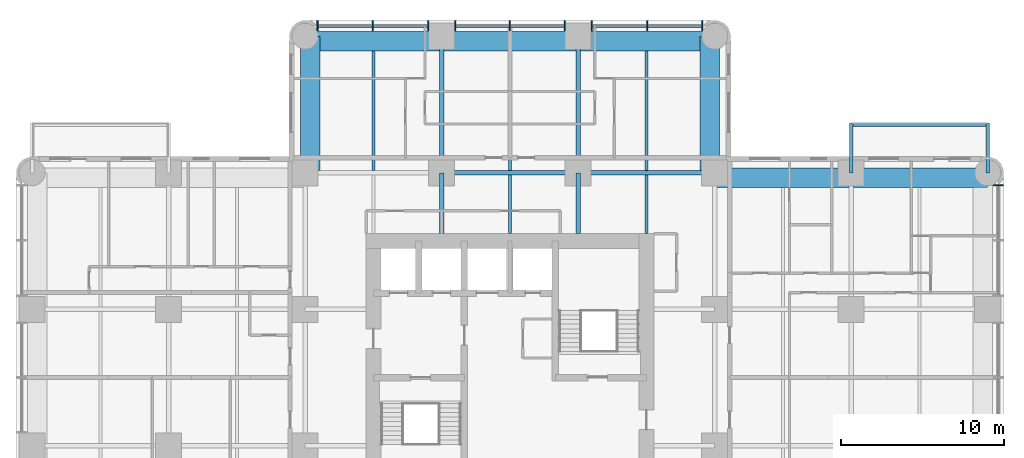
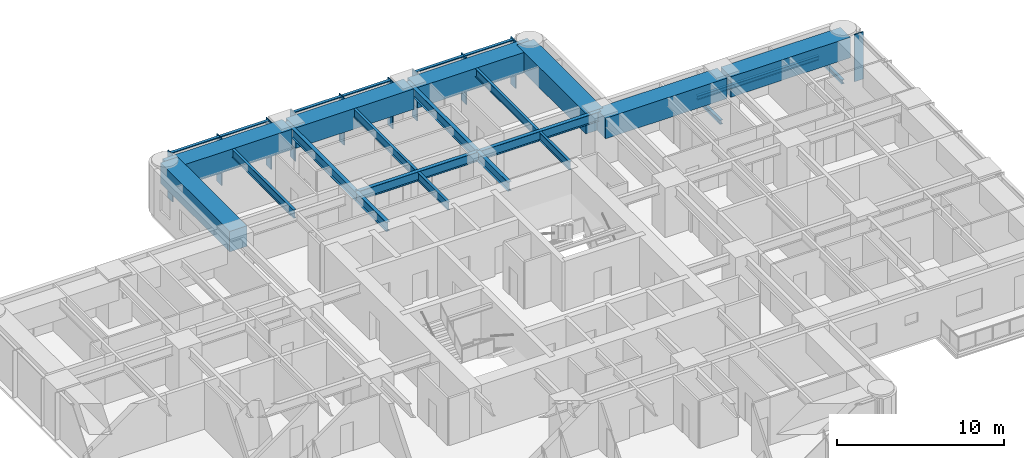
# One storey, part 4 of 15: 21 beams, 16 members, 2 elements without a shape of their own.
"""IFC4 building model written with IfcOpenShell, lengths in metres."""

import ifcopenshell
import ifcopenshell.guid

model = None  # the IFC model being written
_history = None  # IfcOwnerHistory: only IFC2X3 demands one
_inside = {}  # id of a spatial element -> (the spatial element, [elements in it])
_under = {}  # id of a project, library or spatial element -> (it, [spatial elements below it])
_declared = {}  # id of a project -> (the project, [libraries it declares])
_typed = {}  # id of a type object -> (the type object, [elements of that type])
_made_of = {}  # id of a material, layer set ... -> (it, [elements and type objects made of it])


def new_model(schema):
    """Start an empty IFC model of exactly this schema.

    Asked for "IFC4X3", IfcOpenShell would pick the latest addendum, in which some entities
    have other attributes; the version numbers below select the first issue.
    IFC2X3 requires an IfcOwnerHistory on every rooted entity: one is made here for all.
    """
    global model, _history
    if schema == "IFC4X3":
        model = ifcopenshell.file(schema_version=(4, 3, 0, 0))
    else:
        model = ifcopenshell.file(schema=schema)
    _inside.clear()
    _under.clear()
    _declared.clear()
    _typed.clear()
    _made_of.clear()
    _history = None
    if model.schema == "IFC2X3":
        org = make("IfcOrganization", Name="unknown")
        user = make(
            "IfcPersonAndOrganization",
            ThePerson=make("IfcPerson", FamilyName="unknown"),
            TheOrganization=org,
        )
        app = make(
            "IfcApplication",
            ApplicationDeveloper=org,
            Version="unknown",
            ApplicationFullName="unknown",
            ApplicationIdentifier="unknown",
        )
        _history = make(
            "IfcOwnerHistory",
            OwningUser=user,
            OwningApplication=app,
            ChangeAction="ADDED",
            CreationDate=0,
        )
    return model


def make(cls, **values):
    """One entity of the class cls with the attributes given. An attribute that is None is left unset."""
    return model.create_entity(
        cls, **{name: value for name, value in values.items() if value is not None}
    )


def rooted(cls, **values):
    """An entity with a GlobalId (a new one), such as an element, a storey or a relation."""
    return make(cls, GlobalId=ifcopenshell.guid.new(), OwnerHistory=_history, **values)


def si_unit(unit_type, name, prefix=None):
    """IfcSIUnit, for example si_unit("LENGTHUNIT", "METRE", prefix="MILLI")."""
    return make("IfcSIUnit", UnitType=unit_type, Prefix=prefix, Name=name)


def assignment(units):
    """IfcUnitAssignment: the units of a project."""
    return None if units is None else make("IfcUnitAssignment", Units=units)


def point(xyz):
    """IfcCartesianPoint."""
    return None if xyz is None else make("IfcCartesianPoint", Coordinates=xyz)


def direction(xyz):
    """IfcDirection."""
    return None if xyz is None else make("IfcDirection", DirectionRatios=xyz)


def frame(location, z_axis=None, x_axis=None):
    """IfcAxis2Placement3D, a coordinate frame: its origin and axes. An axis left out is left unset."""
    return make(
        "IfcAxis2Placement3D",
        Location=point(location),
        Axis=direction(z_axis),
        RefDirection=direction(x_axis),
    )


def frame_2d(location, x_axis=None):
    """IfcAxis2Placement2D, a coordinate frame in the plane: its origin and x axis."""
    return make(
        "IfcAxis2Placement2D", Location=point(location), RefDirection=direction(x_axis)
    )


def origin():
    """The frame at (0, 0, 0) with its axes left unset."""
    return frame((0.0, 0.0, 0.0))


def origin_2d():
    """The frame at (0, 0) in the plane with its x axis left unset."""
    return frame_2d((0.0, 0.0))


def place(relative_to, where):
    """IfcLocalPlacement: puts the frame where relative to a parent placement (None: the world)."""
    return make(
        "IfcLocalPlacement", PlacementRelTo=relative_to, RelativePlacement=where
    )


def context(
    kind, dimensions, precision=None, world=None, true_north=None, identifier=None
):
    """IfcGeometricRepresentationContext, for example the 3D "Model" context."""
    return make(
        "IfcGeometricRepresentationContext",
        ContextIdentifier=identifier,
        ContextType=kind,
        CoordinateSpaceDimension=dimensions,
        Precision=precision,
        WorldCoordinateSystem=world,
        TrueNorth=true_north,
    )


def subcontext(parent, identifier, kind, view, scale=None):
    """IfcGeometricRepresentationSubContext, for example "Body" below "Model"."""
    return make(
        "IfcGeometricRepresentationSubContext",
        ContextIdentifier=identifier,
        ContextType=kind,
        ParentContext=parent,
        TargetScale=scale,
        TargetView=view,
    )


def project(units=None, contexts=None):
    """IfcProject with its units and contexts."""
    return rooted(
        "IfcProject",
        Name="project",
        RepresentationContexts=contexts,
        UnitsInContext=assignment(units),
    )


def spatial(cls, under=None, at=None, **own):
    """A site, building, storey or space (cls), placed at a placement, below another one or the project."""
    s = rooted(cls, ObjectPlacement=at, **own)
    if under is not None:
        _under.setdefault(under.id(), (under, []))[1].append(s)
    return s


def profile(cls, at=None, kind="AREA", **sizes):
    """A parametric profile (cls). Its sizes go by their IFC names, for example OverallWidth=200.0."""
    return make(cls, ProfileType=kind, Position=at, **sizes)


def rectangle(**sizes):
    """IfcRectangleProfileDef."""
    return profile("IfcRectangleProfileDef", **sizes)


def i_section(**sizes):
    """IfcIShapeProfileDef."""
    return profile("IfcIShapeProfileDef", **sizes)


def extrude(swept, where, along, depth):
    """IfcExtrudedAreaSolid: the profile swept, set in the frame where, extruded along a direction by depth."""
    return make(
        "IfcExtrudedAreaSolid",
        SweptArea=swept,
        Position=where,
        ExtrudedDirection=direction(along),
        Depth=depth,
    )


def shape(context_of_items, identifier, shape_type, items):
    """IfcShapeRepresentation: the items that make up one representation, for example the "Body"."""
    return make(
        "IfcShapeRepresentation",
        ContextOfItems=context_of_items,
        RepresentationIdentifier=identifier,
        RepresentationType=shape_type,
        Items=items,
    )


def material(Name=None, Category=None):
    """IfcMaterial."""
    return make("IfcMaterial", Name=Name, Category=Category)


def material_profile(
    of_material, cross_section, Name=None, Category=None, Priority=None
):
    """IfcMaterialProfile: a cross section and its material."""
    return make(
        "IfcMaterialProfile",
        Name=Name,
        Material=of_material,
        Profile=cross_section,
        Priority=Priority,
        Category=Category,
    )


def profile_set(profiles, Name=None, composite=None):
    """IfcMaterialProfileSet."""
    return make(
        "IfcMaterialProfileSet",
        Name=Name,
        MaterialProfiles=profiles,
        CompositeProfile=composite,
    )


def made_of(thing, what):
    """Note that an element or type object is made of a material, layer set ...; save() writes the relation."""
    if what is not None:
        _made_of.setdefault(what.id(), (what, []))[1].append(thing)
    return thing


def type_object(cls, material=None, **own):
    """A type object (cls), such as IfcWallType, which elements share."""
    return made_of(rooted(cls, **own), material)


def element(
    cls,
    number,
    at=None,
    inside=None,
    cuts=None,
    type_object=None,
    material=None,
    context=None,
    identifier="Body",
    shape_type=None,
    held_by="IfcProductDefinitionShape",
    body=None,
    shapes=None,
    **own,
):
    """One element of the class cls, such as IfcWall. Its Tag is "e" and its number.

    at: its placement. inside: the storey or other place that contains it. cuts: it is an
    opening in that element (IfcRelVoidsElement). A single representation is given by context,
    identifier, shape_type and body (its items); several are given by shapes. held_by: the class
    of the entity that holds the representations. save() writes the other relations.
    """
    e = rooted(cls, Tag="e%d" % number, ObjectPlacement=at, **own)
    if body is not None:
        shapes = [shape(context, identifier, shape_type, body)]
    if shapes is not None:
        e.Representation = make(held_by, Representations=shapes)
    if inside is not None:
        _inside.setdefault(inside.id(), (inside, []))[1].append(e)
    if cuts is not None:
        rooted(
            "IfcRelVoidsElement", RelatingBuildingElement=cuts, RelatedOpeningElement=e
        )
    if type_object is not None:
        _typed.setdefault(type_object.id(), (type_object, []))[1].append(e)
    return made_of(e, material)


def aggregate(whole, parts):
    """IfcRelAggregates: a whole, such as a stair, and the parts it consists of."""
    return rooted("IfcRelAggregates", RelatingObject=whole, RelatedObjects=parts)


def save(model, path):
    """Write the relations noted so far, then the file.

    IfcRelAggregates (storeys below a building ...), IfcRelContainedInSpatialStructure (elements
    in a storey), IfcRelDefinesByType, IfcRelAssociatesMaterial and IfcRelDeclares: one each for
    every whole, place, type object, material and project.
    """
    for whole, parts in _under.values():
        aggregate(whole, parts)
    for where, things in _inside.values():
        rooted(
            "IfcRelContainedInSpatialStructure",
            RelatedElements=things,
            RelatingStructure=where,
        )
    for kind, things in _typed.values():
        rooted("IfcRelDefinesByType", RelatedObjects=things, RelatingType=kind)
    for what, things in _made_of.values():
        rooted("IfcRelAssociatesMaterial", RelatedObjects=things, RelatingMaterial=what)
    for by, libraries in _declared.values():
        rooted("IfcRelDeclares", RelatingContext=by, RelatedDefinitions=libraries)
    model.write(path)


model = new_model("IFC4")

# Units and contexts
model_context = context("Model", 3, precision=1e-05, world=origin(), true_north=direction((0.0, 1.0)))
body_context = subcontext(model_context, "Body", "Model", "MODEL_VIEW")
ifc_project = project(units=[si_unit("LENGTHUNIT", "METRE"), si_unit("AREAUNIT", "SQUARE_METRE"), si_unit("VOLUMEUNIT", "CUBIC_METRE"), si_unit("PLANEANGLEUNIT", "RADIAN"), si_unit("MASSUNIT", "GRAM", prefix="KILO")], contexts=[model_context])

# Site, building, storey
site_placement = place(None, origin())
site = spatial("IfcSite", under=ifc_project, at=site_placement, CompositionType="ELEMENT")
building_placement = place(site_placement, origin())
building = spatial("IfcBuilding", under=site, at=building_placement, Name="Torre Alcanfor", CompositionType="ELEMENT")
storey_placement = place(building_placement, frame((0.0, 0.0, 119.699951171875)))
storey = spatial("IfcBuildingStorey", under=building, at=storey_placement, Name="L30", CompositionType="ELEMENT", Elevation=119.699951171875)

# Beams
ifc_material_1 = material(Name="Steel ASTM A992 Grade 50", Category="steel")
ifc_material_profile_1 = material_profile(ifc_material_1, i_section(OverallWidth=0.205322265625, OverallDepth=0.309814453125, WebThickness=0.00927734375, FlangeThickness=0.016357421875, at=origin_2d()), Name="W12x50")
ifc_profile_set_1 = profile_set([ifc_material_profile_1], Name="Steel ASTM A992 Grade 50")
beam_type_1 = type_object("IfcBeamType", Name="Balcony cantilever beam W12x50", PredefinedType="BEAM", material=ifc_profile_set_1)
for number, where, z_axis, x_axis, name in (
    (1, (50.39990234375, 42.0, -0.35498046875), (0.0, 1.0, 0.0), (-1.0, 0.0, 0.0), "Balcony cantilever beam L30-E1 1"),
    (2, (58.800048828125, 42.0, -0.35498046875), (0.0, 1.0, 0.0), (-1.0, 0.0, 0.0), "Balcony cantilever beam L30-E1 2"),
):
    element("IfcBeam", number, at=place(storey_placement, frame(where, z_axis=z_axis, x_axis=x_axis)), inside=storey, type_object=beam_type_1, Name=name, PredefinedType="BEAM", context=body_context, shape_type="SweptSolid", body=[
        extrude(i_section(OverallWidth=0.205322265625, OverallDepth=0.309814453125, WebThickness=0.00927734375, FlangeThickness=0.016357421875, at=origin_2d()), origin(), (0.0, 0.0, 1.0), 3.050048828125),
    ])
ifc_material_2 = material(Name="Steel ASTM A992 Grade 50", Category="steel")
ifc_material_profile_2 = material_profile(ifc_material_2, i_section(OverallWidth=0.203369140625, OverallDepth=0.30224609375, WebThickness=0.007568359375, FlangeThickness=0.01318359375, at=origin_2d()), Name="W12x40")
ifc_profile_set_2 = profile_set([ifc_material_profile_2], Name="Steel ASTM A992 Grade 50")
beam_type_2 = type_object("IfcBeamType", Name="Balcony edge trimmer W12x40", PredefinedType="BEAM", material=ifc_profile_set_2)
beam_1_placement = place(storey_placement, frame((50.39990234375, 44.9482421875, -0.35107421875), z_axis=(1.0, 0.0, 0.0), x_axis=(0.0, 1.0, 0.0)))
element("IfcBeam", 3, at=beam_1_placement, inside=storey, type_object=beam_type_2, Name="Balcony edge trimmer L30-E1", PredefinedType="BEAM", context=body_context, shape_type="SweptSolid", body=[
    extrude(i_section(OverallWidth=0.203369140625, OverallDepth=0.30224609375, WebThickness=0.007568359375, FlangeThickness=0.01318359375, at=origin_2d()), origin(), (0.0, 0.0, 1.0), 8.400146484375),
])

# Curtain wall, member
ifc_material_3 = material(Name="Aluminium and glass", Category="aluminium")
curtain_wall_type = type_object("IfcCurtainWallType", Name="CW-A unitised apartment glazing with vertical FIN", PredefinedType="NOTDEFINED", material=ifc_material_3)
curtain_wall_1_placement = place(storey_placement, origin())
curtain_wall_1 = element("IfcCurtainWall", 4, at=curtain_wall_1_placement, inside=storey, type_object=curtain_wall_type, Name="Curtain wall CW-A L30 8", PredefinedType="NOTDEFINED")
ifc_material_4 = material(Name="Bronze anodised aluminium", Category="aluminium")
ifc_material_profile_3 = material_profile(ifc_material_4, rectangle(XDim=0.60009765625, YDim=0.06494140625, at=origin_2d()), Name="CW-A mullion 65x600")
ifc_profile_set_3 = profile_set([ifc_material_profile_3], Name="Bronze anodised aluminium")
member_type_1 = type_object("IfcMemberType", Name="CW-A mullion with vertical FIN 65x600", PredefinedType="MULLION", material=ifc_profile_set_3)
member_1_placement = place(storey_placement, frame((59.449951171875, 41.24267578125, 0.0), z_axis=(0.0, 0.0, 1.0), x_axis=(-1.0, 0.0, 0.0)))
member_1 = element("IfcMember", 5, at=member_1_placement, type_object=member_type_1, Name="CW-A mullion 3.3", PredefinedType="MULLION", context=body_context, shape_type="SweptSolid", body=[
    extrude(rectangle(XDim=0.60009765625, YDim=0.06494140625, at=origin_2d()), origin(), (0.0, 0.0, 1.0), 3.449951171875),
])
aggregate(curtain_wall_1, [member_1])

# Curtain wall, members
curtain_wall_2_placement = place(storey_placement, origin())
curtain_wall_2 = element("IfcCurtainWall", 6, at=curtain_wall_2_placement, inside=storey, type_object=curtain_wall_type, Name="Curtain wall CW-A L30 11", PredefinedType="NOTDEFINED")
member_2_placement = place(storey_placement, frame((41.24267578125, 51.050048828125, 0.0), z_axis=(0.0, 0.0, 1.0), x_axis=(0.0, -1.0, 0.0)))
member_2 = element("IfcMember", 7, at=member_2_placement, type_object=member_type_1, Name="CW-A mullion 1.1", PredefinedType="MULLION", context=body_context, shape_type="SweptSolid", body=[
    extrude(rectangle(XDim=0.60009765625, YDim=0.06494140625, at=origin_2d()), origin(), (0.0, 0.0, 1.0), 3.449951171875),
])
member_3_placement = place(storey_placement, frame((37.840087890625, 51.050048828125, 0.0), z_axis=(0.0, 0.0, 1.0), x_axis=(0.0, -1.0, 0.0)))
member_3 = element("IfcMember", 8, at=member_3_placement, type_object=member_type_1, Name="CW-A mullion 1.2", PredefinedType="MULLION", context=body_context, shape_type="SweptSolid", body=[
    extrude(rectangle(XDim=0.60009765625, YDim=0.06494140625, at=origin_2d()), origin(), (0.0, 0.0, 1.0), 3.449951171875),
])
member_4_placement = place(storey_placement, frame((34.4375, 51.050048828125, 0.0), z_axis=(0.0, 0.0, 1.0), x_axis=(0.0, -1.0, 0.0)))
member_4 = element("IfcMember", 9, at=member_4_placement, type_object=member_type_1, Name="CW-A mullion 1.3", PredefinedType="MULLION", context=body_context, shape_type="SweptSolid", body=[
    extrude(rectangle(XDim=0.60009765625, YDim=0.06494140625, at=origin_2d()), origin(), (0.0, 0.0, 1.0), 3.449951171875),
])
member_5_placement = place(storey_placement, frame((32.762451171875, 51.050048828125, 0.0), z_axis=(0.0, 0.0, 1.0), x_axis=(0.0, -1.0, 0.0)))
member_5 = element("IfcMember", 10, at=member_5_placement, type_object=member_type_1, Name="CW-A mullion 2.1", PredefinedType="MULLION", context=body_context, shape_type="SweptSolid", body=[
    extrude(rectangle(XDim=0.60009765625, YDim=0.06494140625, at=origin_2d()), origin(), (0.0, 0.0, 1.0), 3.449951171875),
])
member_6_placement = place(storey_placement, frame((29.39990234375, 51.050048828125, 0.0), z_axis=(0.0, 0.0, 1.0), x_axis=(0.0, -1.0, 0.0)))
member_6 = element("IfcMember", 11, at=member_6_placement, type_object=member_type_1, Name="CW-A mullion 2.2", PredefinedType="MULLION", context=body_context, shape_type="SweptSolid", body=[
    extrude(rectangle(XDim=0.60009765625, YDim=0.06494140625, at=origin_2d()), origin(), (0.0, 0.0, 1.0), 3.449951171875),
])
member_7_placement = place(storey_placement, frame((26.03759765625, 51.050048828125, 0.0), z_axis=(0.0, 0.0, 1.0), x_axis=(0.0, -1.0, 0.0)))
member_7 = element("IfcMember", 12, at=member_7_placement, type_object=member_type_1, Name="CW-A mullion 2.3", PredefinedType="MULLION", context=body_context, shape_type="SweptSolid", body=[
    extrude(rectangle(XDim=0.60009765625, YDim=0.06494140625, at=origin_2d()), origin(), (0.0, 0.0, 1.0), 3.449951171875),
])
member_8_placement = place(storey_placement, frame((24.362548828125, 51.050048828125, 0.0), z_axis=(0.0, 0.0, 1.0), x_axis=(0.0, -1.0, 0.0)))
member_8 = element("IfcMember", 13, at=member_8_placement, type_object=member_type_1, Name="CW-A mullion 3.1", PredefinedType="MULLION", context=body_context, shape_type="SweptSolid", body=[
    extrude(rectangle(XDim=0.60009765625, YDim=0.06494140625, at=origin_2d()), origin(), (0.0, 0.0, 1.0), 3.449951171875),
])
member_9_placement = place(storey_placement, frame((20.9599609375, 51.050048828125, 0.0), z_axis=(0.0, 0.0, 1.0), x_axis=(0.0, -1.0, 0.0)))
member_9 = element("IfcMember", 14, at=member_9_placement, type_object=member_type_1, Name="CW-A mullion 3.2", PredefinedType="MULLION", context=body_context, shape_type="SweptSolid", body=[
    extrude(rectangle(XDim=0.60009765625, YDim=0.06494140625, at=origin_2d()), origin(), (0.0, 0.0, 1.0), 3.449951171875),
])
member_10_placement = place(storey_placement, frame((17.557373046875, 51.050048828125, 0.0), z_axis=(0.0, 0.0, 1.0), x_axis=(0.0, -1.0, 0.0)))
member_10 = element("IfcMember", 15, at=member_10_placement, type_object=member_type_1, Name="CW-A mullion 3.3", PredefinedType="MULLION", context=body_context, shape_type="SweptSolid", body=[
    extrude(rectangle(XDim=0.60009765625, YDim=0.06494140625, at=origin_2d()), origin(), (0.0, 0.0, 1.0), 3.449951171875),
])
ifc_material_5 = material(Name="Extruded aluminium", Category="aluminium")
ifc_material_profile_4 = material_profile(ifc_material_5, rectangle(XDim=0.199951171875, YDim=0.06494140625, at=origin_2d()), Name="CW-A transom 200x65")
ifc_profile_set_4 = profile_set([ifc_material_profile_4], Name="Extruded aluminium")
member_type_2 = type_object("IfcMemberType", Name="CW-A transom 65x200", PredefinedType="USERDEFINED", material=ifc_profile_set_4)
member_11_placement = place(storey_placement, frame((41.210205078125, 51.050048828125, 3.41748046875), z_axis=(-1.0, 0.0, 0.0), x_axis=(0.0, -1.0, 0.0)))
member_11 = element("IfcMember", 16, at=member_11_placement, type_object=member_type_2, Name="CW-A transom 1.1.2", ObjectType="TRANSOM", PredefinedType="USERDEFINED", context=body_context, shape_type="SweptSolid", body=[
    extrude(rectangle(XDim=0.199951171875, YDim=0.06494140625, at=origin_2d()), origin(), (0.0, 0.0, 1.0), 3.337646484375),
])
member_12_placement = place(storey_placement, frame((37.8076171875, 51.050048828125, 3.41748046875), z_axis=(-1.0, 0.0, 0.0), x_axis=(0.0, -1.0, 0.0)))
member_12 = element("IfcMember", 17, at=member_12_placement, type_object=member_type_2, Name="CW-A transom 1.2.2", ObjectType="TRANSOM", PredefinedType="USERDEFINED", context=body_context, shape_type="SweptSolid", body=[
    extrude(rectangle(XDim=0.199951171875, YDim=0.06494140625, at=origin_2d()), origin(), (0.0, 0.0, 1.0), 3.337646484375),
])
member_13_placement = place(storey_placement, frame((32.72998046875, 51.050048828125, 3.41748046875), z_axis=(-1.0, 0.0, 0.0), x_axis=(0.0, -1.0, 0.0)))
member_13 = element("IfcMember", 18, at=member_13_placement, type_object=member_type_2, Name="CW-A transom 2.1.2", ObjectType="TRANSOM", PredefinedType="USERDEFINED", context=body_context, shape_type="SweptSolid", body=[
    extrude(rectangle(XDim=0.199951171875, YDim=0.06494140625, at=origin_2d()), origin(), (0.0, 0.0, 1.0), 3.29736328125),
])
member_14_placement = place(storey_placement, frame((29.367431640625, 51.050048828125, 3.41748046875), z_axis=(-1.0, 0.0, 0.0), x_axis=(0.0, -1.0, 0.0)))
member_14 = element("IfcMember", 19, at=member_14_placement, type_object=member_type_2, Name="CW-A transom 2.2.2", ObjectType="TRANSOM", PredefinedType="USERDEFINED", context=body_context, shape_type="SweptSolid", body=[
    extrude(rectangle(XDim=0.199951171875, YDim=0.06494140625, at=origin_2d()), origin(), (0.0, 0.0, 1.0), 3.29736328125),
])
member_15_placement = place(storey_placement, frame((24.330078125, 51.050048828125, 3.41748046875), z_axis=(-1.0, 0.0, 0.0), x_axis=(0.0, -1.0, 0.0)))
member_15 = element("IfcMember", 20, at=member_15_placement, type_object=member_type_2, Name="CW-A transom 3.1.2", ObjectType="TRANSOM", PredefinedType="USERDEFINED", context=body_context, shape_type="SweptSolid", body=[
    extrude(rectangle(XDim=0.199951171875, YDim=0.06494140625, at=origin_2d()), origin(), (0.0, 0.0, 1.0), 3.337646484375),
])
member_16_placement = place(storey_placement, frame((20.927490234375, 51.050048828125, 3.41748046875), z_axis=(-1.0, 0.0, 0.0), x_axis=(0.0, -1.0, 0.0)))
member_16 = element("IfcMember", 21, at=member_16_placement, type_object=member_type_2, Name="CW-A transom 3.2.2", ObjectType="TRANSOM", PredefinedType="USERDEFINED", context=body_context, shape_type="SweptSolid", body=[
    extrude(rectangle(XDim=0.199951171875, YDim=0.06494140625, at=origin_2d()), origin(), (0.0, 0.0, 1.0), 3.337646484375),
])
aggregate(curtain_wall_2, [member_2, member_3, member_4, member_11, member_12, member_5, member_6, member_7, member_13, member_14, member_8, member_9, member_10, member_15, member_16])

# Beams
ifc_material_6 = material(Name="Steel ASTM A992 Grade 50", Category="steel")
ifc_material_profile_5 = material_profile(ifc_material_6, i_section(OverallWidth=0.25390625, OverallDepth=0.683349609375, WebThickness=0.012451171875, FlangeThickness=0.01904296875, at=origin_2d()), Name="W27x94")
ifc_profile_set_5 = profile_set([ifc_material_profile_5], Name="Steel ASTM A992 Grade 50")
beam_type_3 = type_object("IfcBeamType", Name="Girder W27x94", PredefinedType="BEAM", material=ifc_profile_set_5)
beam_2_placement = place(storey_placement, frame((25.199951171875, 42.0, 3.1083984375), z_axis=(1.0, 0.0, 0.0), x_axis=(0.0, 1.0, 0.0)))
element("IfcBeam", 22, at=beam_2_placement, inside=storey, type_object=beam_type_3, Name="Beam 4H-5H under L31", PredefinedType="BEAM", context=body_context, shape_type="SweptSolid", body=[
    extrude(i_section(OverallWidth=0.25390625, OverallDepth=0.683349609375, WebThickness=0.012451171875, FlangeThickness=0.01904296875, at=origin_2d()), origin(), (0.0, 0.0, 1.0), 8.400146484375),
])
for number, where, z_axis, x_axis, name in (
    (23, (33.60009765625, 42.0, 3.1083984375), (1.0, 0.0, 0.0), (0.0, 1.0, 0.0), "Beam 5H-6H under L31"),
    (24, (25.199951171875, 42.0, 3.1083984375), (0.0, 1.0, 0.0), (-1.0, 0.0, 0.0), "Beam 4H-4J under L31"),
    (25, (33.60009765625, 42.0, 3.1083984375), (0.0, 1.0, 0.0), (-1.0, 0.0, 0.0), "Beam 5H-5J under L31"),
):
    element("IfcBeam", number, at=place(storey_placement, frame(where, z_axis=z_axis, x_axis=x_axis)), inside=storey, type_object=beam_type_3, Name=name, PredefinedType="BEAM", context=body_context, shape_type="SweptSolid", body=[
        extrude(i_section(OverallWidth=0.25390625, OverallDepth=0.683349609375, WebThickness=0.012451171875, FlangeThickness=0.01904296875, at=origin_2d()), origin(), (0.0, 0.0, 1.0), 8.39990234375),
    ])
ifc_material_7 = material(Name="Steel ASTM A992 Grade 50", Category="steel")
ifc_material_profile_6 = material_profile(ifc_material_7, i_section(OverallWidth=0.25390625, OverallDepth=0.683349609375, WebThickness=0.012451171875, FlangeThickness=0.01904296875, at=origin_2d()), Name="W27x94")
ifc_profile_set_6 = profile_set([ifc_material_profile_6], Name="Steel ASTM A992 Grade 50")
beam_type_4 = type_object("IfcBeamType", Name="Girder, part bay W27x94", PredefinedType="BEAM", material=ifc_profile_set_6)
for number, where, z_axis, x_axis, name in (
    (26, (25.199951171875, 42.0, 3.1083984375), (0.0, -1.0, 0.0), (1.0, 0.0, 0.0), "Beam 4H-438_25 under L31"),
    (27, (33.60009765625, 42.0, 3.1083984375), (0.0, -1.0, 0.0), (1.0, 0.0, 0.0), "Beam 5H-538_25 under L31"),
):
    element("IfcBeam", number, at=place(storey_placement, frame(where, z_axis=z_axis, x_axis=x_axis)), inside=storey, type_object=beam_type_4, Name=name, PredefinedType="BEAM", context=body_context, shape_type="SweptSolid", body=[
        extrude(i_section(OverallWidth=0.25390625, OverallDepth=0.683349609375, WebThickness=0.012451171875, FlangeThickness=0.01904296875, at=origin_2d()), origin(), (0.0, 0.0, 1.0), 3.75),
    ])
ifc_material_8 = material(Name="Concrete f'c 70 MPa", Category="concrete")
ifc_material_profile_7 = material_profile(ifc_material_8, rectangle(XDim=1.199951171875, YDim=1.5, at=origin_2d()), Name="1200x1500")
ifc_profile_set_7 = profile_set([ifc_material_profile_7], Name="Concrete f'c 70 MPa")
beam_type_5 = type_object("IfcBeamType", Name="RC perimeter beam 1200x1500", PredefinedType="BEAM", material=ifc_profile_set_7)
beam_3_placement = place(storey_placement, frame((41.873046875, 41.699951171875, 2.699951171875), z_axis=(1.0, 0.0, 0.0), x_axis=(0.0, 1.0, 0.0)))
element("IfcBeam", 28, at=beam_3_placement, inside=storey, type_object=beam_type_5, Name="Beam 6H-7H under L31", PredefinedType="BEAM", context=body_context, shape_type="SweptSolid", body=[
    extrude(rectangle(XDim=1.199951171875, YDim=1.5, at=origin_2d()), origin(), (0.0, 0.0, 1.0), 8.39990234375),
])
for number, where, z_axis, x_axis, name in (
    (29, (50.527099609375, 41.699951171875, 2.699951171875), (1.0, 0.0, 0.0), (0.0, 1.0, 0.0), "Beam 7H-8H under L31"),
    (30, (16.800048828125, 50.10009765625, 2.699951171875), (1.0, 0.0, 0.0), (0.0, 1.0, 0.0), "Beam 3J-4J under L31"),
):
    element("IfcBeam", number, at=place(storey_placement, frame(where, z_axis=z_axis, x_axis=x_axis)), inside=storey, type_object=beam_type_5, Name=name, PredefinedType="BEAM", context=body_context, shape_type="SweptSolid", body=[
        extrude(rectangle(XDim=1.199951171875, YDim=1.5, at=origin_2d()), origin(), (0.0, 0.0, 1.0), 8.27294921875),
    ])
beam_4_placement = place(storey_placement, frame((25.326904296875, 50.10009765625, 2.699951171875), z_axis=(1.0, 0.0, 0.0), x_axis=(0.0, 1.0, 0.0)))
element("IfcBeam", 31, at=beam_4_placement, inside=storey, type_object=beam_type_5, Name="Beam 4J-5J under L31", PredefinedType="BEAM", context=body_context, shape_type="SweptSolid", body=[
    extrude(rectangle(XDim=1.199951171875, YDim=1.5, at=origin_2d()), origin(), (0.0, 0.0, 1.0), 8.14599609375),
])
for number, where, z_axis, x_axis, name in (
    (32, (33.72705078125, 50.10009765625, 2.699951171875), (1.0, 0.0, 0.0), (0.0, 1.0, 0.0), "Beam 5J-6J under L31"),
    (33, (17.10009765625, 42.126953125, 2.699951171875), (0.0, 1.0, 0.0), (-1.0, 0.0, 0.0), "Beam 3H-3J under L31"),
    (34, (41.699951171875, 42.126953125, 2.699951171875), (0.0, 1.0, 0.0), (-1.0, 0.0, 0.0), "Beam 6H-6J under L31"),
):
    element("IfcBeam", number, at=place(storey_placement, frame(where, z_axis=z_axis, x_axis=x_axis)), inside=storey, type_object=beam_type_5, Name=name, PredefinedType="BEAM", context=body_context, shape_type="SweptSolid", body=[
        extrude(rectangle(XDim=1.199951171875, YDim=1.5, at=origin_2d()), origin(), (0.0, 0.0, 1.0), 8.27294921875),
    ])
ifc_material_9 = material(Name="Steel ASTM A992 Grade 50", Category="steel")
ifc_material_profile_8 = material_profile(ifc_material_9, i_section(OverallWidth=0.1787109375, OverallDepth=0.60205078125, WebThickness=0.010986328125, FlangeThickness=0.014892578125, at=origin_2d()), Name="W24x62")
ifc_profile_set_8 = profile_set([ifc_material_profile_8], Name="Steel ASTM A992 Grade 50")
beam_type_6 = type_object("IfcBeamType", Name="Secondary beam W24x62", PredefinedType="BEAM", material=ifc_profile_set_8)
for number, where, z_axis, x_axis, name in (
    (35, (21.0, 42.126953125, 3.149169921875), (0.0, 1.0, 0.0), (-1.0, 0.0, 0.0), "Beam 21H-21J under L31"),
    (36, (29.39990234375, 42.126953125, 3.149169921875), (0.0, 1.0, 0.0), (-1.0, 0.0, 0.0), "Beam 29_4H-29_4J under L31"),
    (37, (37.800048828125, 42.126953125, 3.149169921875), (0.0, 1.0, 0.0), (-1.0, 0.0, 0.0), "Beam 37_8H-37_8J under L31"),
):
    element("IfcBeam", number, at=place(storey_placement, frame(where, z_axis=z_axis, x_axis=x_axis)), inside=storey, type_object=beam_type_6, Name=name, PredefinedType="BEAM", context=body_context, shape_type="SweptSolid", body=[
        extrude(i_section(OverallWidth=0.1787109375, OverallDepth=0.60205078125, WebThickness=0.010986328125, FlangeThickness=0.014892578125, at=origin_2d()), origin(), (0.0, 0.0, 1.0), 7.373046875),
    ])
ifc_material_10 = material(Name="Steel ASTM A992 Grade 50", Category="steel")
ifc_material_profile_9 = material_profile(ifc_material_10, i_section(OverallWidth=0.1787109375, OverallDepth=0.60205078125, WebThickness=0.010986328125, FlangeThickness=0.014892578125, at=origin_2d()), Name="W24x62")
ifc_profile_set_9 = profile_set([ifc_material_profile_9], Name="Steel ASTM A992 Grade 50")
beam_type_7 = type_object("IfcBeamType", Name="Secondary beam, part bay W24x62", PredefinedType="BEAM", material=ifc_profile_set_9)
for number, where, z_axis, x_axis, name in (
    (38, (29.39990234375, 38.25, 3.149169921875), (0.0, 1.0, 0.0), (-1.0, 0.0, 0.0), "Beam 29_438_25-29_4H under L31"),
    (39, (37.800048828125, 38.25, 3.149169921875), (0.0, 1.0, 0.0), (-1.0, 0.0, 0.0), "Beam 37_838_25-37_8H under L31"),
):
    element("IfcBeam", number, at=place(storey_placement, frame(where, z_axis=z_axis, x_axis=x_axis)), inside=storey, type_object=beam_type_7, Name=name, PredefinedType="BEAM", context=body_context, shape_type="SweptSolid", body=[
        extrude(i_section(OverallWidth=0.1787109375, OverallDepth=0.60205078125, WebThickness=0.010986328125, FlangeThickness=0.014892578125, at=origin_2d()), origin(), (0.0, 0.0, 1.0), 3.623046875),
    ])

save(model, "model.ifc")
